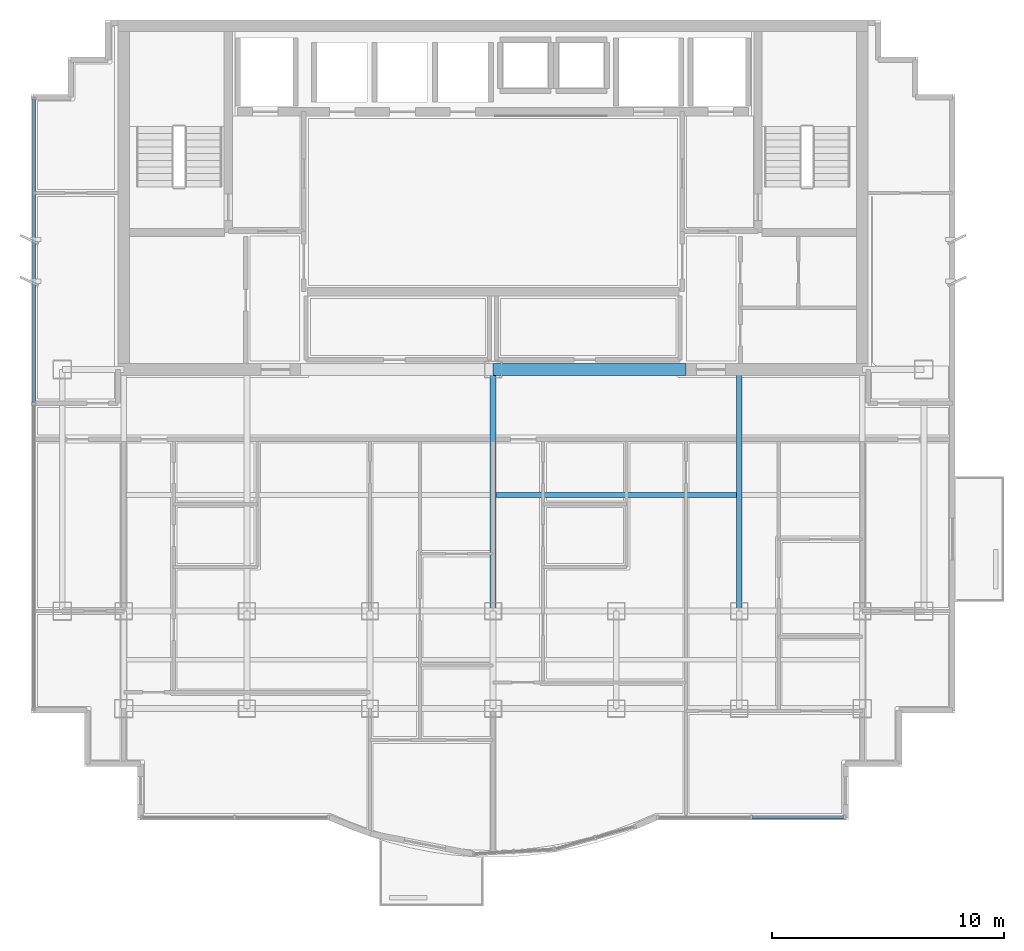
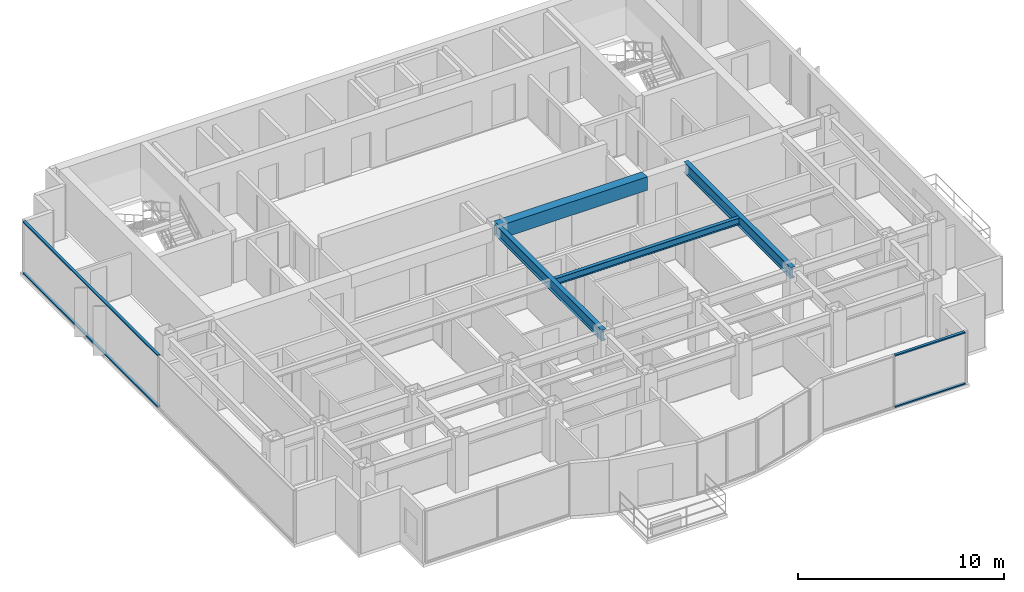
# One storey, part 3 of 11: 4 beams, 4 members, 2 elements without a shape of their own.
"""IFC4 building model written with IfcOpenShell, lengths in metres."""

from ifc_helpers import new_model, si_unit, direction, frame, origin, origin_2d, place, context, subcontext, project, spatial, rectangle, i_section, extrude, source, transform, mapped, material, layer, layer_set, material_profile, profile_set, type_object, element, aggregate, save


model = new_model("IFC4")

# Units and contexts
model_context = context("Model", 3, precision=1e-05, world=origin(), true_north=direction((0.0, 1.0)))
body_context = subcontext(model_context, "Body", "Model", "MODEL_VIEW")
ifc_project = project(units=[si_unit("LENGTHUNIT", "METRE"), si_unit("AREAUNIT", "SQUARE_METRE"), si_unit("VOLUMEUNIT", "CUBIC_METRE"), si_unit("PLANEANGLEUNIT", "RADIAN"), si_unit("MASSUNIT", "GRAM", prefix="KILO")], contexts=[model_context])

# Site, building, storey
site_placement = place(None, origin())
site = spatial("IfcSite", under=ifc_project, at=site_placement, CompositionType="ELEMENT")
building_placement = place(site_placement, origin())
building = spatial("IfcBuilding", under=site, at=building_placement, Name="Qianlan Lanfeng Residences", CompositionType="ELEMENT")
storey_placement = place(building_placement, frame((0.0, 0.0, 223.10009765625)))
storey = spatial("IfcBuildingStorey", under=building, at=storey_placement, Name="L61", CompositionType="ELEMENT", Elevation=223.10009765625)

# Beams
ifc_material_1 = material(Name="Steel SN490B", Category="steel")
ifc_material_profile_1 = material_profile(ifc_material_1, i_section(OverallWidth=0.25, OverallDepth=0.64990234375, WebThickness=0.012939453125, FlangeThickness=0.02197265625, at=origin_2d()), Name="H 650x250x13x22")
ifc_profile_set_1 = profile_set([ifc_material_profile_1], Name="Steel SN490B")
beam_type_1 = type_object("IfcBeamType", Name="G-650", PredefinedType="BEAM", material=ifc_profile_set_1)
for number, where, z_axis, x_axis, name in (
    (1, (26.5, 14.800048828125, 2.784912109375), (0.0, 1.0, 0.0), (-1.0, 0.0, 0.0), "Structural beam G-650"),
    (2, (37.10009765625, 14.800048828125, 2.784912109375), (0.0, 1.0, 0.0), (-1.0, 0.0, 0.0), "Structural beam G-650"),
):
    element("IfcBeam", number, at=place(storey_placement, frame(where, z_axis=z_axis, x_axis=x_axis)), inside=storey, type_object=beam_type_1, Name=name, PredefinedType="BEAM", context=body_context, shape_type="SweptSolid", body=[
        extrude(i_section(OverallWidth=0.25, OverallDepth=0.64990234375, WebThickness=0.012939453125, FlangeThickness=0.02197265625, at=origin_2d()), origin(), (0.0, 0.0, 1.0), 10.39990234375),
    ])
ifc_material_profile_2 = material_profile(ifc_material_1, i_section(OverallWidth=0.199951171875, OverallDepth=0.39990234375, WebThickness=0.008056640625, FlangeThickness=0.012939453125, at=origin_2d()), Name="H 400x200x8x13")
ifc_profile_set_2 = profile_set([ifc_material_profile_2], Name="Steel SN490B")
beam_type_2 = type_object("IfcBeamType", Name="J-400", PredefinedType="JOIST", material=ifc_profile_set_2)
beam_1_placement = place(storey_placement, frame((26.625, 19.800048828125, 2.909912109375), z_axis=(1.0, 0.0, 0.0), x_axis=(0.0, 1.0, 0.0)))
element("IfcBeam", 3, at=beam_1_placement, inside=storey, type_object=beam_type_2, Name="Structural beam J-400", PredefinedType="JOIST", context=body_context, shape_type="SweptSolid", body=[
    extrude(i_section(OverallWidth=0.199951171875, OverallDepth=0.39990234375, WebThickness=0.008056640625, FlangeThickness=0.012939453125, at=origin_2d()), origin(), (0.0, 0.0, 1.0), 10.35009765625),
])
ifc_material_2 = material(Name="Concrete C49", Category="concrete")
ifc_material_profile_3 = material_profile(ifc_material_2, rectangle(XDim=0.5, YDim=0.800048828125, at=origin_2d()), Name="RC 500x800")
ifc_profile_set_3 = profile_set([ifc_material_profile_3], Name="Concrete C49")
beam_type_3 = type_object("IfcBeamType", Name="LB-RC750", PredefinedType="BEAM", material=ifc_profile_set_3)
beam_2_placement = place(storey_placement, frame((26.5, 25.199951171875, 2.7099609375), z_axis=(1.0, 0.0, 0.0), x_axis=(0.0, 1.0, 0.0)))
element("IfcBeam", 4, at=beam_2_placement, inside=storey, type_object=beam_type_3, Name="L61 Core Coupling Beam E", PredefinedType="BEAM", context=body_context, shape_type="SweptSolid", body=[
    extrude(rectangle(XDim=0.5, YDim=0.800048828125, at=origin_2d()), origin(), (0.0, 0.0, 1.0), 8.300048828125),
])

# Curtain wall, members
ifc_material_3 = material(Name="Anodised Bronze Aluminium 6063-T6", Category="aluminium")
ifc_layer = layer(ifc_material_3, 0.219970703125)
ifc_layer_set = layer_set([ifc_layer], Name="Anodised Bronze Aluminium 6063-T6")
curtain_wall_type = type_object("IfcCurtainWallType", Name="CW-05", PredefinedType="NOTDEFINED", material=ifc_layer_set)
curtain_wall_1_placement = place(storey_placement, origin())
curtain_wall_1 = element("IfcCurtainWall", 5, at=curtain_wall_1_placement, inside=storey, type_object=curtain_wall_type, Name="L61 Unitised Curtain Wall CWR-L61-04 (CW-05)", PredefinedType="NOTDEFINED")
ifc_material_profile_4 = material_profile(ifc_material_3, rectangle(XDim=0.074951171875, YDim=0.14990234375, at=origin_2d()), Name="ALU TRANSOM 75x150")
ifc_profile_set_4 = profile_set([ifc_material_profile_4], Name="Anodised Bronze Aluminium 6063-T6")
member_type = type_object("IfcMemberType", Name="CWT-150", PredefinedType="USERDEFINED", material=ifc_profile_set_4)
shared_shape_1 = source(origin(), body_context, "Body", "SweptSolid", [
    extrude(rectangle(XDim=0.074951171875, YDim=0.14990234375, at=origin_2d()), origin(), (0.0, 0.0, 1.0), 3.949462890625),
])
member_1_placement = place(storey_placement, frame((37.655517578125, 5.919921875, 0.037353515625), z_axis=(1.0, 0.0, 0.0), x_axis=(0.0, 0.0, 1.0)))
member_1 = element("IfcMember", 6, at=member_1_placement, type_object=member_type, Name="CWR-L61-04 Transom 2-BOT", ObjectType="TRANSOM", PredefinedType="USERDEFINED", context=body_context, shape_type="MappedRepresentation", body=[
    mapped(shared_shape_1, transform((0.0, 0.0, 0.0), scale=1.0)),
])
member_2_placement = place(storey_placement, frame((37.655517578125, 5.919921875, 3.072509765625), z_axis=(1.0, 0.0, 0.0), x_axis=(0.0, 0.0, 1.0)))
member_2 = element("IfcMember", 7, at=member_2_placement, type_object=member_type, Name="CWR-L61-04 Transom 2-TOP", ObjectType="TRANSOM", PredefinedType="USERDEFINED", context=body_context, shape_type="MappedRepresentation", body=[
    mapped(shared_shape_1, transform((0.0, 0.0, 0.0), scale=1.0)),
])
aggregate(curtain_wall_1, [member_1, member_2])

curtain_wall_2_placement = place(storey_placement, origin())
curtain_wall_2 = element("IfcCurtainWall", 8, at=curtain_wall_2_placement, inside=storey, type_object=curtain_wall_type, Name="L61 Unitised Curtain Wall CWR-L61-05 (CW-05)", PredefinedType="NOTDEFINED")
shared_shape_2 = source(origin(), body_context, "Body", "SweptSolid", [
    extrude(rectangle(XDim=0.074951171875, YDim=0.14990234375, at=origin_2d()), origin(), (0.0, 0.0, 1.0), 13.092529296875),
])
member_3_placement = place(storey_placement, frame((6.719970703125, 36.85498046875, 0.037353515625), z_axis=(0.0, -1.0, 0.0), x_axis=(0.0, 0.0, 1.0)))
member_3 = element("IfcMember", 9, at=member_3_placement, type_object=member_type, Name="CWR-L61-05 Transom 1-BOT", ObjectType="TRANSOM", PredefinedType="USERDEFINED", context=body_context, shape_type="MappedRepresentation", body=[
    mapped(shared_shape_2, transform((0.0, 0.0, 0.0), scale=1.0)),
])
member_4_placement = place(storey_placement, frame((6.719970703125, 36.85498046875, 3.072509765625), z_axis=(0.0, -1.0, 0.0), x_axis=(0.0, 0.0, 1.0)))
member_4 = element("IfcMember", 10, at=member_4_placement, type_object=member_type, Name="CWR-L61-05 Transom 1-TOP", ObjectType="TRANSOM", PredefinedType="USERDEFINED", context=body_context, shape_type="MappedRepresentation", body=[
    mapped(shared_shape_2, transform((0.0, 0.0, 0.0), scale=1.0)),
])
aggregate(curtain_wall_2, [member_3, member_4])

save(model, "model.ifc")
